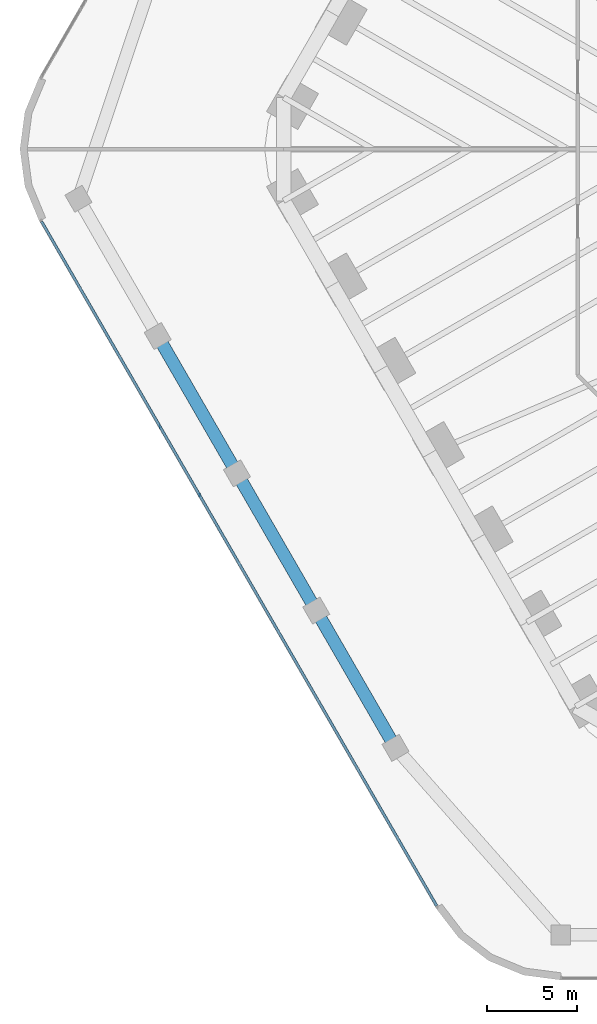
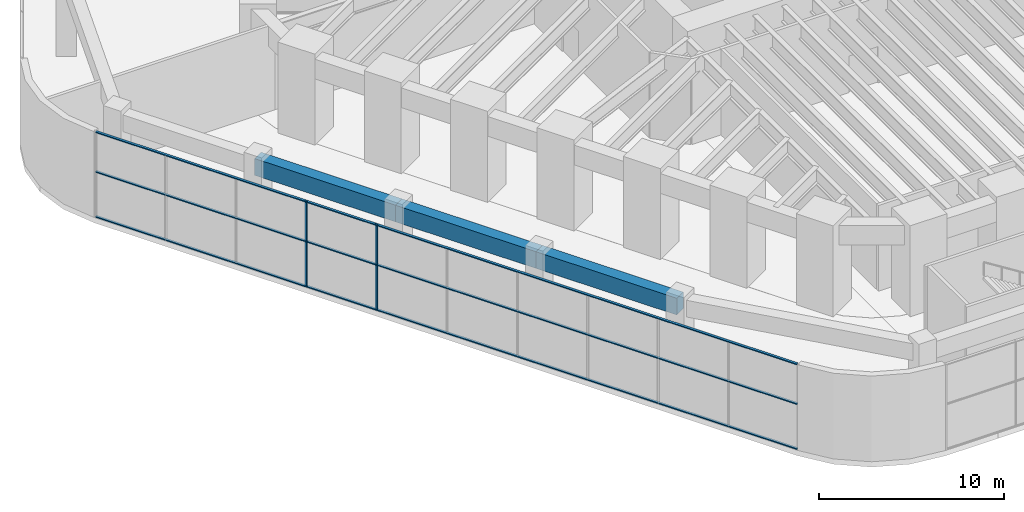
# One storey, part 3 of 31: 5 members, 3 beams, 1 element without a shape of its own.
"""IFC4 building model written with IfcOpenShell, lengths in metres."""

from ifc_helpers import new_model, si_unit, direction, frame, origin, origin_2d, place, context, subcontext, project, spatial, rectangle, extrude, material, material_profile, profile_set, type_object, element, aggregate, save


model = new_model("IFC4")

# Units and contexts
model_context = context("Model", 3, precision=1e-05, world=origin(), true_north=direction((0.0, 1.0)))
body_context = subcontext(model_context, "Body", "Model", "MODEL_VIEW")
ifc_project = project(units=[si_unit("LENGTHUNIT", "METRE"), si_unit("AREAUNIT", "SQUARE_METRE"), si_unit("VOLUMEUNIT", "CUBIC_METRE"), si_unit("PLANEANGLEUNIT", "RADIAN"), si_unit("MASSUNIT", "GRAM", prefix="KILO")], contexts=[model_context])

# Site, building, storey
site_placement = place(None, origin())
site = spatial("IfcSite", under=ifc_project, at=site_placement, CompositionType="ELEMENT")
building_placement = place(site_placement, origin())
building = spatial("IfcBuilding", under=site, at=building_placement, Name="Tarfa Lantern Tower", CompositionType="ELEMENT")
storey_placement = place(building_placement, frame((0.0, 0.0, 7.0)))
storey = spatial("IfcBuildingStorey", under=building, at=storey_placement, Name="L01", CompositionType="ELEMENT", Elevation=7.0)

# Curtain wall, members
ifc_material_1 = material(Name="Aluminium framed curtain wall", Category="aluminium")
curtain_wall_type = type_object("IfcCurtainWallType", Name="CW7 PODIUM GLAZING 5650", PredefinedType="USERDEFINED", material=ifc_material_1)
curtain_wall_placement = place(storey_placement, origin())
curtain_wall = element("IfcCurtainWall", 1, at=curtain_wall_placement, inside=storey, type_object=curtain_wall_type, Name="CW7 SW L01", ObjectType="CURTAIN WALL", PredefinedType="USERDEFINED")
ifc_material_2 = material(Name="Aluminium mullion", Category="aluminium")
ifc_material_profile_1 = material_profile(ifc_material_2, rectangle(XDim=0.06494140625, YDim=0.199951171875, at=origin_2d()), Name="AL MULLION 65x200")
ifc_profile_set_1 = profile_set([ifc_material_profile_1], Name="Aluminium mullion")
member_type_1 = type_object("IfcMemberType", Name="CWM1 MULLION 65x200", PredefinedType="MULLION", material=ifc_profile_set_1)
member_1_placement = place(storey_placement, frame((-44.138427734375, -15.35009765625, 0.0), z_axis=(0.0, 0.0, 1.0), x_axis=(1.0, 0.0, 0.0)))
member_1 = element("IfcMember", 2, at=member_1_placement, type_object=member_type_1, Name="CW7 mullion 4", PredefinedType="MULLION", context=body_context, shape_type="SweptSolid", body=[
    extrude(rectangle(XDim=0.06494140625, YDim=0.199951171875, at=origin_2d()), origin(), (0.0, 0.0, 1.0), 5.64990234375),
])
member_2_placement = place(storey_placement, frame((-41.944580078125, -19.14990234375, 0.0), z_axis=(0.0, 0.0, 1.0), x_axis=(1.0, 0.0, 0.0)))
member_2 = element("IfcMember", 3, at=member_2_placement, type_object=member_type_1, Name="CW7 mullion 5", PredefinedType="MULLION", context=body_context, shape_type="SweptSolid", body=[
    extrude(rectangle(XDim=0.06494140625, YDim=0.199951171875, at=origin_2d()), origin(), (0.0, 0.0, 1.0), 5.64990234375),
])
ifc_material_3 = material(Name="Aluminium transom", Category="aluminium")
ifc_material_profile_2 = material_profile(ifc_material_3, rectangle(XDim=0.14990234375, YDim=0.06494140625, at=origin_2d()), Name="AL TRANSOM 150x65")
ifc_profile_set_2 = profile_set([ifc_material_profile_2], Name="Aluminium transom")
member_type_2 = type_object("IfcMemberType", Name="CWT1 TRANSOM 150x65", PredefinedType="USERDEFINED", material=ifc_profile_set_2)
member_3_placement = place(storey_placement, frame((-50.687744140625, -4.00634765625, 0.032470703125), z_axis=(0.499998927597, -0.866026022936, 0.0), x_axis=(0.866026022936, 0.499998927597, 0.0)))
member_3 = element("IfcMember", 4, at=member_3_placement, type_object=member_type_2, Name="CW7 transom 1.1", ObjectType="TRANSOM", PredefinedType="USERDEFINED", context=body_context, shape_type="SweptSolid", body=[
    extrude(rectangle(XDim=0.14990234375, YDim=0.06494140625, at=origin_2d()), origin(), (0.0, 0.0, 1.0), 43.74853515625),
])
member_4_placement = place(storey_placement, frame((-50.687744140625, -4.00634765625, 3.0), z_axis=(0.499998927597, -0.866026022936, 0.0), x_axis=(0.866026022936, 0.499998927597, 0.0)))
member_4 = element("IfcMember", 5, at=member_4_placement, type_object=member_type_2, Name="CW7 transom 1.2", ObjectType="TRANSOM", PredefinedType="USERDEFINED", context=body_context, shape_type="SweptSolid", body=[
    extrude(rectangle(XDim=0.14990234375, YDim=0.06494140625, at=origin_2d()), origin(), (0.0, 0.0, 1.0), 43.74853515625),
])
member_5_placement = place(storey_placement, frame((-50.687744140625, -4.00634765625, 5.617431640625), z_axis=(0.499998927597, -0.866026022936, 0.0), x_axis=(0.866026022936, 0.499998927597, 0.0)))
member_5 = element("IfcMember", 6, at=member_5_placement, type_object=member_type_2, Name="CW7 transom 1.3", ObjectType="TRANSOM", PredefinedType="USERDEFINED", context=body_context, shape_type="SweptSolid", body=[
    extrude(rectangle(XDim=0.14990234375, YDim=0.06494140625, at=origin_2d()), origin(), (0.0, 0.0, 1.0), 43.74853515625),
])
aggregate(curtain_wall, [member_1, member_2, member_3, member_4, member_5])

# Beams
ifc_material_4 = material(Name="Concrete C80/95", Category="concrete")
ifc_material_profile_3 = material_profile(ifc_material_4, rectangle(XDim=0.699951171875, YDim=1.10009765625, at=origin_2d()), Name="RC 700x1100")
ifc_profile_set_3 = profile_set([ifc_material_profile_3], Name="Concrete C80/95")
beam_type = type_object("IfcBeamType", Name="PB1 RC 700x1100", PredefinedType="BEAM", material=ifc_profile_set_3)
for number, where, z_axis, x_axis, name in (
    (7, (-44.25390625, -10.35009765625, 5.10009765625), (0.500013843384, -0.866017411155, 0.0), (0.866017411155, 0.500013843384, 0.0), "Podium ring beam SW1"),
    (8, (-39.865966796875, -17.949951171875, 5.10009765625), (0.499980931779, -0.866036412547, 0.0), (0.866036412547, 0.499980931779, 0.0), "Podium ring beam SW2"),
    (9, (-35.478271484375, -25.550048828125, 5.10009765625), (0.500013843384, -0.866017411155, 0.0), (0.866017411155, 0.500013843384, 0.0), "Podium ring beam SW3"),
):
    element("IfcBeam", number, at=place(storey_placement, frame(where, z_axis=z_axis, x_axis=x_axis)), inside=storey, type_object=beam_type, Name=name, PredefinedType="BEAM", context=body_context, shape_type="SweptSolid", body=[
        extrude(rectangle(XDim=0.699951171875, YDim=1.10009765625, at=origin_2d()), origin(), (0.0, 0.0, 1.0), 8.775634765625),
    ])

save(model, "model.ifc")
